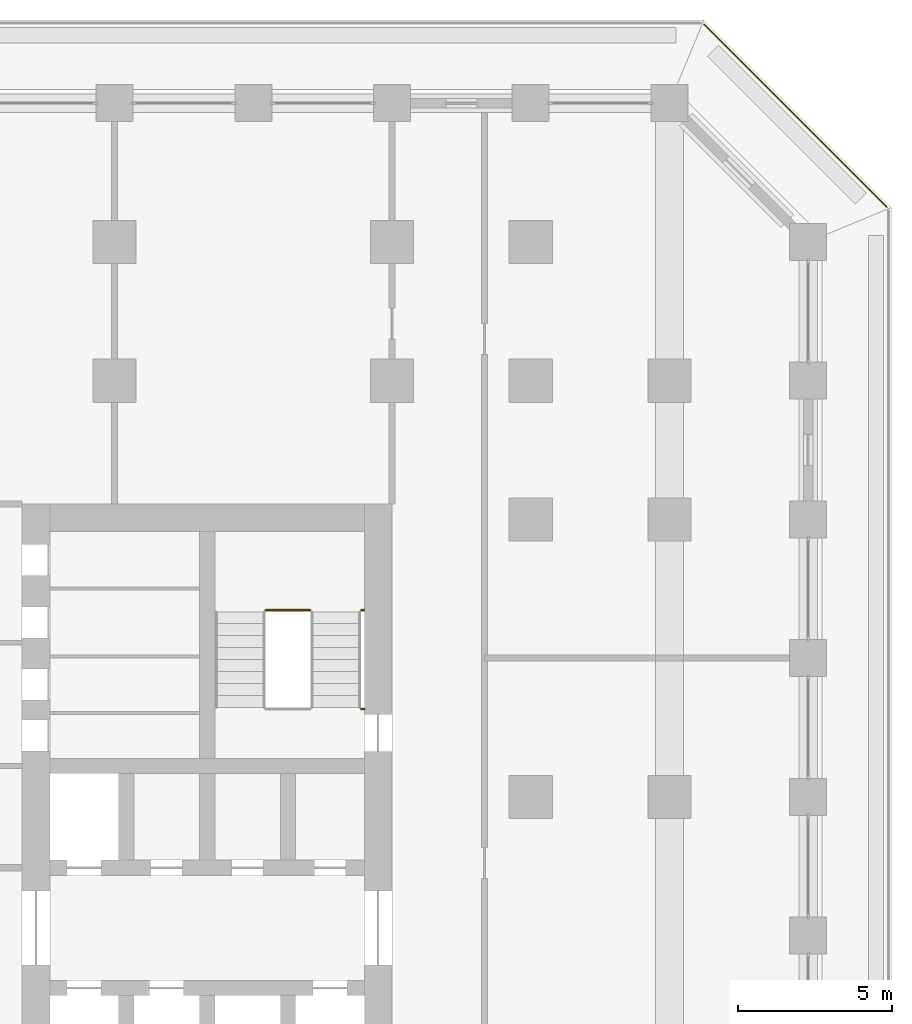
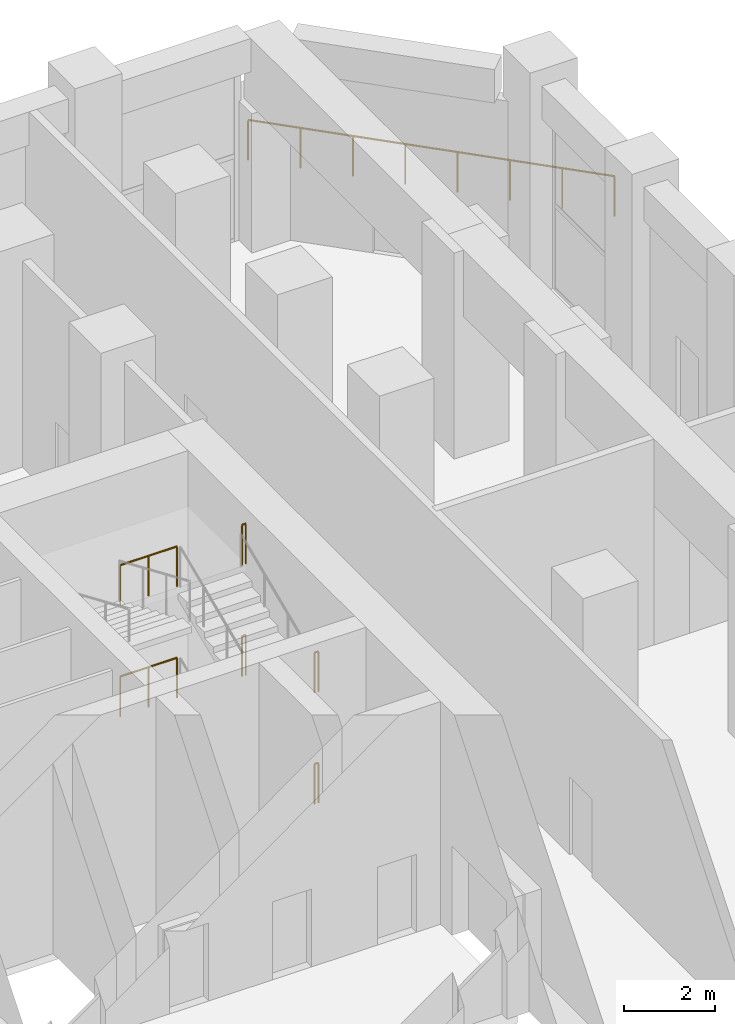
# One storey, part 23 of 24: 7 railings.
"""IFC4 building model written with IfcOpenShell, lengths in metres."""

from ifc_helpers import new_model, si_unit, direction, frame, origin, origin_2d, place, context, subcontext, project, spatial, circle, extrude, material, type_object, element, save


model = new_model("IFC4")

# Units and contexts
model_context = context("Model", 3, precision=1e-05, world=origin(), true_north=direction((0.0, 1.0)))
body_context = subcontext(model_context, "Body", "Model", "MODEL_VIEW")
ifc_project = project(units=[si_unit("LENGTHUNIT", "METRE"), si_unit("AREAUNIT", "SQUARE_METRE"), si_unit("VOLUMEUNIT", "CUBIC_METRE"), si_unit("PLANEANGLEUNIT", "RADIAN"), si_unit("MASSUNIT", "GRAM", prefix="KILO")], contexts=[model_context])

# Site, building, storey
site_placement = place(None, origin())
site = spatial("IfcSite", under=ifc_project, at=site_placement, CompositionType="ELEMENT")
building_placement = place(site_placement, origin())
building = spatial("IfcBuilding", under=site, at=building_placement, Name="Corbel Stack Research Tower", CompositionType="ELEMENT")
storey_placement = place(building_placement, frame((0.0, 0.0, 110.699951171875)))
storey = spatial("IfcBuildingStorey", under=building, at=storey_placement, Name="L25", CompositionType="ELEMENT", Elevation=110.699951171875)

# Railings
ifc_material_1 = material(Name="Steel S355", Category="steel")
railing_type_1 = type_object("IfcRailingType", Name="Stair guard 1100", PredefinedType="GUARDRAIL", material=ifc_material_1)
railing_1_placement = place(storey_placement, frame((15.35009765625, 15.053955078125, 1.5)))
element("IfcRailing", 1, at=railing_1_placement, inside=storey, type_object=railing_type_1, Name="L25 ST-E2 stair guard 2", PredefinedType="GUARDRAIL", context=body_context, shape_type="SweptSolid", body=[
    extrude(circle(Radius=0.02392578125, at=origin_2d()), frame((0.0, 0.0, 1.076171875), z_axis=(-1.0, 0.0, 0.0), x_axis=(0.0, -1.0, 0.0)), (0.0, 0.0, 1.0), 1.4501953125),
    extrude(circle(Radius=0.02099609375, at=origin_2d()), origin(), (0.0, 0.0, 1.0), 1.052001953125),
    extrude(circle(Radius=0.02099609375, at=origin_2d()), frame((-0.72509765625, 0.0, 0.0)), (0.0, 0.0, 1.0), 1.052001953125),
    extrude(circle(Radius=0.02099609375, at=origin_2d()), frame((-1.4501953125, 0.0, 0.0)), (0.0, 0.0, 1.0), 1.052001953125),
])
for number, where, name in (
    (2, (17.10009765625, 15.053955078125, 1.5), "L25 ST-E2 stair guard 3"),
    (3, (17.10009765625, 11.85009765625, 3.0), "L25 ST-E2 stair guard 6"),
):
    element("IfcRailing", number, at=place(storey_placement, frame(where)), inside=storey, type_object=railing_type_1, Name=name, PredefinedType="GUARDRAIL", context=body_context, shape_type="SweptSolid", body=[
        extrude(circle(Radius=0.02392578125, at=origin_2d()), frame((0.0, 0.0, 1.076171875), z_axis=(-1.0, 0.0, 0.0), x_axis=(0.0, -1.0, 0.0)), (0.0, 0.0, 1.0), 0.10009765625),
        extrude(circle(Radius=0.02099609375, at=origin_2d()), origin(), (0.0, 0.0, 1.0), 1.052001953125),
        extrude(circle(Radius=0.02099609375, at=origin_2d()), frame((-0.10009765625, 0.0, 0.0)), (0.0, 0.0, 1.0), 1.052001953125),
    ])
railing_2_placement = place(storey_placement, frame((15.35009765625, 15.053955078125, 4.5)))
element("IfcRailing", 4, at=railing_2_placement, inside=storey, type_object=railing_type_1, Name="L25 ST-E2 stair guard 8", PredefinedType="GUARDRAIL", context=body_context, shape_type="SweptSolid", body=[
    extrude(circle(Radius=0.02392578125, at=origin_2d()), frame((0.0, 0.0, 1.076171875), z_axis=(-1.0, 0.0, 0.0), x_axis=(0.0, -1.0, 0.0)), (0.0, 0.0, 1.0), 1.4501953125),
    extrude(circle(Radius=0.02099609375, at=origin_2d()), origin(), (0.0, 0.0, 1.0), 1.052001953125),
    extrude(circle(Radius=0.02099609375, at=origin_2d()), frame((-0.72509765625, 0.0, 0.0)), (0.0, 0.0, 1.0), 1.052001953125),
    extrude(circle(Radius=0.02099609375, at=origin_2d()), frame((-1.4501953125, 0.0, 0.0)), (0.0, 0.0, 1.0), 1.052001953125),
])
for number, where, name in (
    (5, (17.10009765625, 15.053955078125, 4.5), "L25 ST-E2 stair guard 9"),
    (6, (17.10009765625, 11.85009765625, 0.0), "L25 ST-E2 stair guard 12"),
):
    element("IfcRailing", number, at=place(storey_placement, frame(where)), inside=storey, type_object=railing_type_1, Name=name, PredefinedType="GUARDRAIL", context=body_context, shape_type="SweptSolid", body=[
        extrude(circle(Radius=0.02392578125, at=origin_2d()), frame((0.0, 0.0, 1.076171875), z_axis=(-1.0, 0.0, 0.0), x_axis=(0.0, -1.0, 0.0)), (0.0, 0.0, 1.0), 0.10009765625),
        extrude(circle(Radius=0.02099609375, at=origin_2d()), origin(), (0.0, 0.0, 1.0), 1.052001953125),
        extrude(circle(Radius=0.02099609375, at=origin_2d()), frame((-0.10009765625, 0.0, 0.0)), (0.0, 0.0, 1.0), 1.052001953125),
    ])
ifc_material_2 = material(Name="Powder-coated steel guard", Category="steel")
railing_type_2 = type_object("IfcRailingType", Name="Steel and glass guard 1100", PredefinedType="GUARDRAIL", material=ifc_material_2)
railing_3_placement = place(storey_placement, frame((34.04931640625, 28.127685546875, 0.0)))
element("IfcRailing", 7, at=railing_3_placement, inside=storey, type_object=railing_type_2, Name="Loggia guard L25 NE", PredefinedType="GUARDRAIL", context=body_context, shape_type="SweptSolid", body=[
    extrude(circle(Radius=0.02392578125, at=origin_2d()), frame((0.0, 0.0, 1.076171875), z_axis=(-0.707106781187, 0.707106781187, 0.0), x_axis=(-0.707106781187, -0.707106781187, 0.0)), (0.0, 0.0, 1.0), 8.37451171875),
    extrude(circle(Radius=0.02099609375, at=origin_2d()), origin(), (0.0, 0.0, 1.0), 1.052001953125),
    extrude(circle(Radius=0.02099609375, at=origin_2d()), frame((-0.845947265625, 0.845947265625, 0.0)), (0.0, 0.0, 1.0), 1.052001953125),
    extrude(circle(Radius=0.02099609375, at=origin_2d()), frame((-1.69189453125, 1.69189453125, 0.0)), (0.0, 0.0, 1.0), 1.052001953125),
    extrude(circle(Radius=0.02099609375, at=origin_2d()), frame((-2.537841796875, 2.537841796875, 0.0)), (0.0, 0.0, 1.0), 1.052001953125),
    extrude(circle(Radius=0.02099609375, at=origin_2d()), frame((-3.3837890625, 3.3837890625, 0.0)), (0.0, 0.0, 1.0), 1.052001953125),
    extrude(circle(Radius=0.02099609375, at=origin_2d()), frame((-4.229736328125, 4.229736328125, 0.0)), (0.0, 0.0, 1.0), 1.052001953125),
    extrude(circle(Radius=0.02099609375, at=origin_2d()), frame((-5.07568359375, 5.07568359375, 0.0)), (0.0, 0.0, 1.0), 1.052001953125),
    extrude(circle(Radius=0.02099609375, at=origin_2d()), frame((-5.921630859375, 5.921630859375, 0.0)), (0.0, 0.0, 1.0), 1.052001953125),
])

save(model, "model.ifc")
